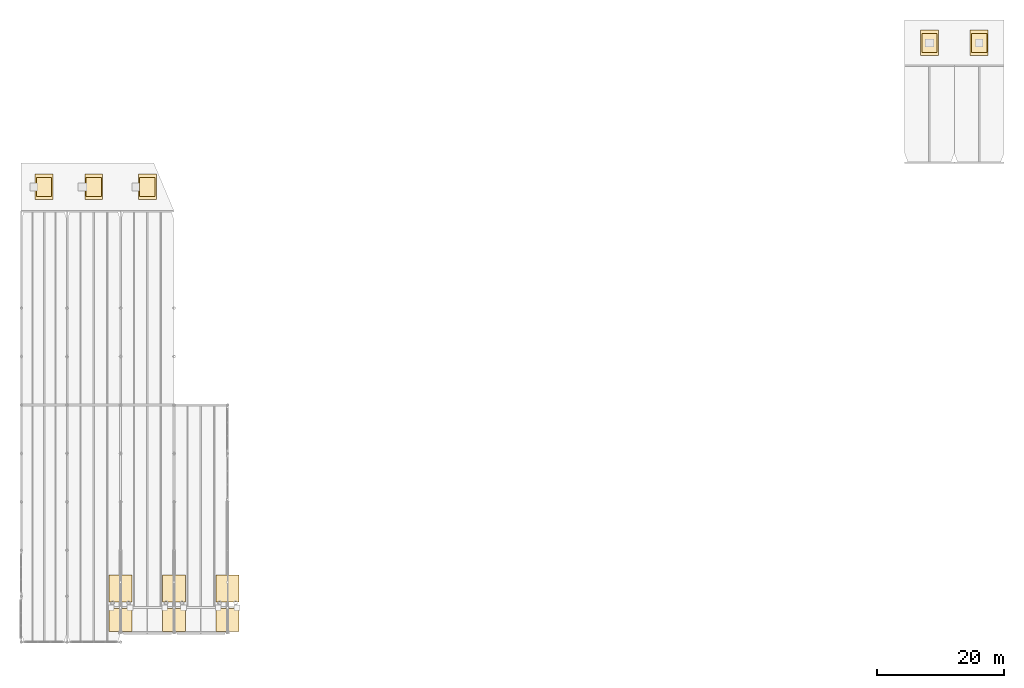
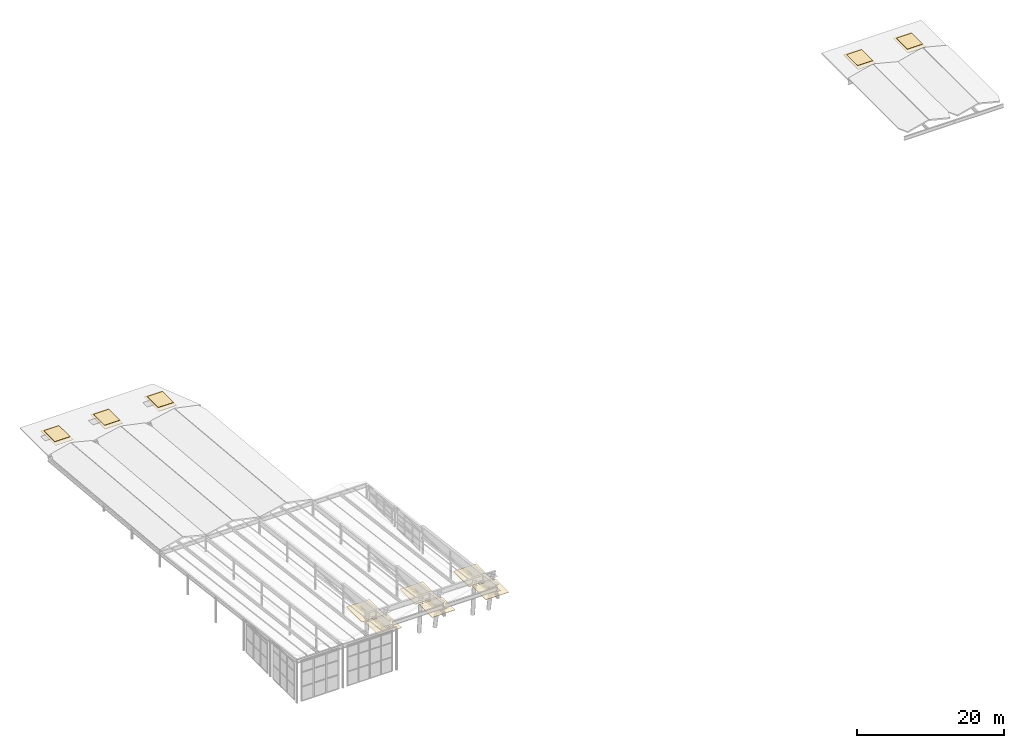
# One storey, part 14 of 14: 16 coverings.
"""IFC4 building model written with IfcOpenShell, lengths in metres."""

from ifc_helpers import new_model, si_unit, direction, frame, origin, origin_2d, place, context, subcontext, project, spatial, rectangle, extrude, material, layer, layer_set, type_object, element, save


model = new_model("IFC4")

# Units and contexts
model_context = context("Model", 3, precision=1e-05, world=origin(), true_north=direction((0.0, 1.0)))
body_context = subcontext(model_context, "Body", "Model", "MODEL_VIEW")
ifc_project = project(units=[si_unit("LENGTHUNIT", "METRE"), si_unit("AREAUNIT", "SQUARE_METRE"), si_unit("VOLUMEUNIT", "CUBIC_METRE"), si_unit("PLANEANGLEUNIT", "RADIAN"), si_unit("MASSUNIT", "GRAM", prefix="KILO")], contexts=[model_context])

# Site, building, storey
site_placement = place(None, origin())
site = spatial("IfcSite", under=ifc_project, at=site_placement, CompositionType="ELEMENT")
building_placement = place(site_placement, origin())
building = spatial("IfcBuilding", under=site, at=building_placement, Name="Xicomal Pleat Aquarium", CompositionType="ELEMENT")
storey_placement = place(building_placement, frame((0.0, 0.0, 24.0)))
storey = spatial("IfcBuildingStorey", under=building, at=storey_placement, Name="RF", CompositionType="ELEMENT", Elevation=24.0)

# Coverings
ifc_material_1 = material(Name="Warm treated pine timber soffit cladding", Category="wood")
ifc_layer_1 = layer(ifc_material_1, 0.044921875)
ifc_layer_set_1 = layer_set([ifc_layer_1], Name="Warm treated pine timber soffit cladding")
covering_type_1 = type_object("IfcCoveringType", Name="COV-CLAD-45", PredefinedType="CLADDING", material=ifc_layer_set_1)
for number, where, z_axis, x_axis, name in (
    (1, (18.60009765625, 4.300048828125, 5.28662109375), (0.0, 0.0, 1.0), (1.0, 0.0, 0.0), "RF roof and soffit covering CLD-TIMB-PAV-01"),
    (2, (27.0, 4.300048828125, 5.28662109375), (0.0, 0.0, 1.0), (1.0, 0.0, 0.0), "RF roof and soffit covering CLD-TIMB-PAV-02"),
    (3, (35.39990234375, 4.300048828125, 5.28662109375), (0.0, 0.0, 1.0), (1.0, 0.0, 0.0), "RF roof and soffit covering CLD-TIMB-PAV-03"),
):
    element("IfcCovering", number, at=place(storey_placement, frame(where, z_axis=z_axis, x_axis=x_axis)), inside=storey, type_object=covering_type_1, Name=name, PredefinedType="CLADDING", context=body_context, shape_type="SweptSolid", body=[
        extrude(rectangle(XDim=3.60009765625, YDim=3.60009765625, at=origin_2d()), origin(), (0.0, 0.0, 1.0), 0.044921875),
    ])
for number, where, z_axis, x_axis, name in (
    (4, (18.60009765625, 9.199951171875, 4.671630859375), (0.0, 0.0, 1.0), (1.0, 0.0, 0.0), "RF roof and soffit covering CLD-TIMB-PAV-04"),
    (5, (27.0, 9.199951171875, 4.671630859375), (0.0, 0.0, 1.0), (1.0, 0.0, 0.0), "RF roof and soffit covering CLD-TIMB-PAV-05"),
    (6, (35.39990234375, 9.199951171875, 4.671630859375), (0.0, 0.0, 1.0), (1.0, 0.0, 0.0), "RF roof and soffit covering CLD-TIMB-PAV-06"),
):
    element("IfcCovering", number, at=place(storey_placement, frame(where, z_axis=z_axis, x_axis=x_axis)), inside=storey, type_object=covering_type_1, Name=name, PredefinedType="CLADDING", context=body_context, shape_type="SweptSolid", body=[
        extrude(rectangle(XDim=3.60009765625, YDim=4.199951171875, at=origin_2d()), origin(), (0.0, 0.0, 1.0), 0.044921875),
    ])
for number, where, z_axis, x_axis, name in (
    (7, (6.60009765625, 72.199951171875, -0.262451171875), (0.0, 0.0, 1.0), (1.0, 0.0, 0.0), "RF roof and soffit covering CLD-TIMB-RF-01"),
    (8, (14.39990234375, 72.199951171875, -0.262451171875), (0.0, 0.0, 1.0), (1.0, 0.0, 0.0), "RF roof and soffit covering CLD-TIMB-RF-02"),
    (9, (22.800048828125, 72.199951171875, -0.262451171875), (0.0, 0.0, 1.0), (1.0, 0.0, 0.0), "RF roof and soffit covering CLD-TIMB-RF-03"),
    (10, (145.5, 94.800048828125, -0.262451171875), (0.0, 0.0, 1.0), (1.0, 0.0, 0.0), "RF roof and soffit covering CLD-TIMB-RF-04"),
    (11, (153.300048828125, 94.800048828125, -0.262451171875), (0.0, 0.0, 1.0), (1.0, 0.0, 0.0), "RF roof and soffit covering CLD-TIMB-RF-05"),
):
    element("IfcCovering", number, at=place(storey_placement, frame(where, z_axis=z_axis, x_axis=x_axis)), inside=storey, type_object=covering_type_1, Name=name, PredefinedType="CLADDING", context=body_context, shape_type="SweptSolid", body=[
        extrude(rectangle(XDim=2.800048828125, YDim=4.0, at=origin_2d()), origin(), (0.0, 0.0, 1.0), 0.044921875),
    ])
ifc_material_2 = material(Name="White pleated standing-seam zinc-aluminium roofing", Category="aluminium")
ifc_layer_2 = layer(ifc_material_2, 0.06005859375)
ifc_layer_set_2 = layer_set([ifc_layer_2], Name="White pleated standing-seam zinc-aluminium roofing")
covering_type_2 = type_object("IfcCoveringType", Name="COV-ROOF-60", PredefinedType="ROOFING", material=ifc_layer_set_2)
for number, where, z_axis, x_axis, name in (
    (12, (6.60009765625, 72.199951171875, -0.005126953125), (0.0, 0.0, 1.0), (1.0, 0.0, 0.0), "RF roof and soffit covering RFG-RF-01"),
    (13, (14.39990234375, 72.199951171875, -0.005126953125), (0.0, 0.0, 1.0), (1.0, 0.0, 0.0), "RF roof and soffit covering RFG-RF-02"),
    (14, (22.800048828125, 72.199951171875, -0.005126953125), (0.0, 0.0, 1.0), (1.0, 0.0, 0.0), "RF roof and soffit covering RFG-RF-03"),
    (15, (145.5, 94.800048828125, -0.005126953125), (0.0, 0.0, 1.0), (1.0, 0.0, 0.0), "RF roof and soffit covering RFG-RF-04"),
    (16, (153.300048828125, 94.800048828125, -0.005126953125), (0.0, 0.0, 1.0), (1.0, 0.0, 0.0), "RF roof and soffit covering RFG-RF-05"),
):
    element("IfcCovering", number, at=place(storey_placement, frame(where, z_axis=z_axis, x_axis=x_axis)), inside=storey, type_object=covering_type_2, Name=name, PredefinedType="ROOFING", context=body_context, shape_type="SweptSolid", body=[
        extrude(rectangle(XDim=2.39990234375, YDim=3.0, at=origin_2d()), origin(), (0.0, 0.0, 1.0), 0.06005859375),
    ])

save(model, "model.ifc")
